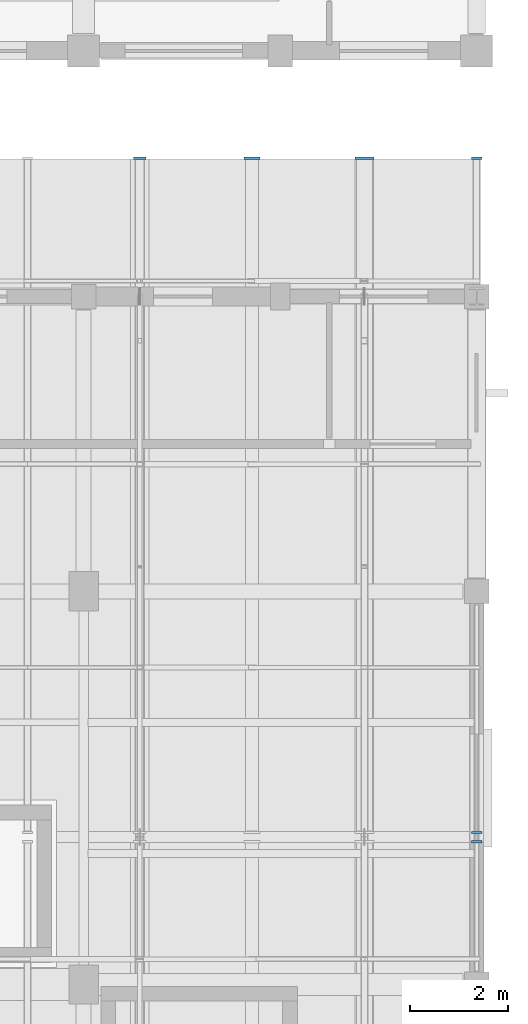
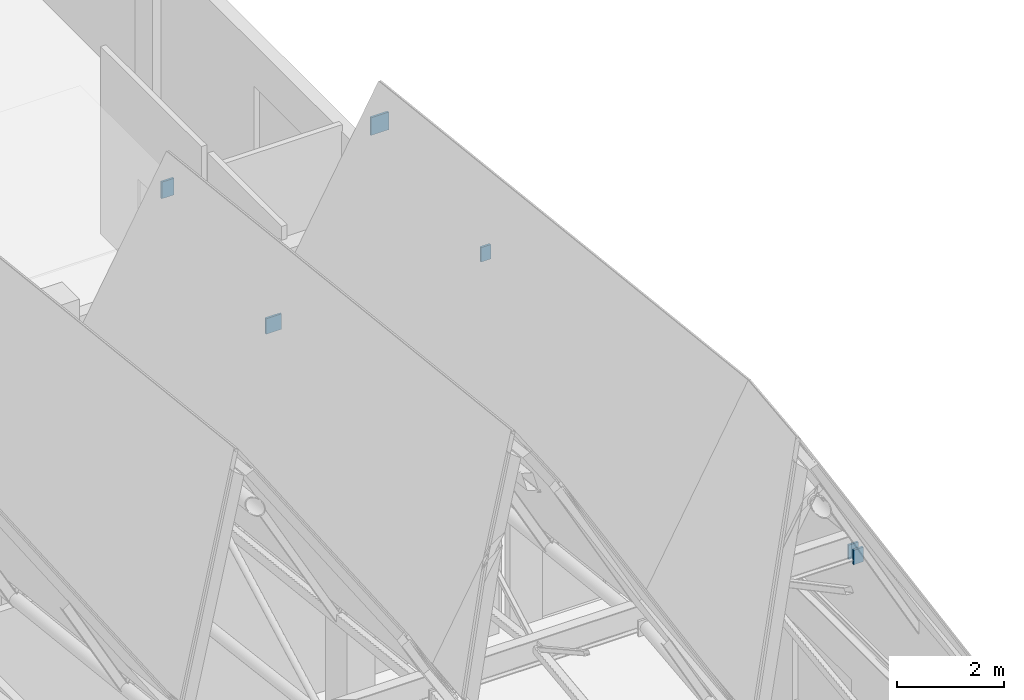
# One storey, part 43 of 48: 6 discrete accessories.
"""IFC4 building model written with IfcOpenShell, lengths in metres."""

from ifc_helpers import new_model, si_unit, direction, frame, origin, origin_2d, place, context, subcontext, project, spatial, rectangle, extrude, material, type_object, element, save


model = new_model("IFC4")

# Units and contexts
model_context = context("Model", 3, precision=1e-05, world=origin(), true_north=direction((0.0, 1.0)))
body_context = subcontext(model_context, "Body", "Model", "MODEL_VIEW")
ifc_project = project(units=[si_unit("LENGTHUNIT", "METRE"), si_unit("AREAUNIT", "SQUARE_METRE"), si_unit("VOLUMEUNIT", "CUBIC_METRE"), si_unit("PLANEANGLEUNIT", "RADIAN"), si_unit("MASSUNIT", "GRAM", prefix="KILO")], contexts=[model_context])

# Site, building, storey
site_placement = place(None, origin())
site = spatial("IfcSite", under=ifc_project, at=site_placement, CompositionType="ELEMENT")
building_placement = place(site_placement, origin())
building = spatial("IfcBuilding", under=site, at=building_placement, Name="Luwemba Playhouse", CompositionType="ELEMENT")
storey_placement = place(building_placement, frame((0.0, 0.0, 13.800048828125)))
storey = spatial("IfcBuildingStorey", under=building, at=storey_placement, Name="L03", CompositionType="ELEMENT", Elevation=13.800048828125)

# Discrete accessories
ifc_material = material(Name="Steel S355", Category="steel")
discrete_accessory_type = type_object("IfcDiscreteAccessoryType", Name="ACC-ENDCAP-S355", PredefinedType="BRACKET", material=ifc_material)
discrete_accessory_1_placement = place(storey_placement, frame((165.142822265625, 92.81494140625, 7.685302734375), z_axis=(0.0, 0.0, 1.0), x_axis=(1.0, 0.0, 0.0)))
element("IfcDiscreteAccessory", 1, at=discrete_accessory_1_placement, inside=storey, type_object=discrete_accessory_type, Name="Welded RHS end cap plate 0304", PredefinedType="BRACKET", context=body_context, shape_type="SweptSolid", body=[
    extrude(rectangle(XDim=0.260009765625, YDim=0.044921875, at=origin_2d()), origin(), (0.0, 0.0, 1.0), 0.3798828125),
])
discrete_accessory_2_placement = place(storey_placement, frame((167.4287109375, 92.81494140625, 3.811279296875), z_axis=(0.0, 0.0, 1.0), x_axis=(1.0, 0.0, 0.0)))
element("IfcDiscreteAccessory", 2, at=discrete_accessory_2_placement, inside=storey, type_object=discrete_accessory_type, Name="Welded RHS end cap plate 0308", PredefinedType="BRACKET", context=body_context, shape_type="SweptSolid", body=[
    extrude(rectangle(XDim=0.3330078125, YDim=0.044921875, at=origin_2d()), origin(), (0.0, 0.0, 1.0), 0.35302734375),
])
discrete_accessory_3_placement = place(storey_placement, frame((169.71435546875, 92.81494140625, 7.54833984375), z_axis=(0.0, 0.0, 1.0), x_axis=(1.0, 0.0, 0.0)))
element("IfcDiscreteAccessory", 3, at=discrete_accessory_3_placement, inside=storey, type_object=discrete_accessory_type, Name="Welded RHS end cap plate 0312", PredefinedType="BRACKET", context=body_context, shape_type="SweptSolid", body=[
    extrude(rectangle(XDim=0.384033203125, YDim=0.044921875, at=origin_2d()), origin(), (0.0, 0.0, 1.0), 0.404052734375),
])
for number, where, z_axis, x_axis, name in (
    (4, (172.0, 78.90478515625, 5.373046875), (0.0, 0.0, 1.0), (1.0, 0.0, 0.0), "Welded RHS end cap plate 0314"),
    (5, (172.0, 79.09521484375, 5.373046875), (0.0, 0.0, 1.0), (1.0, 0.0, 0.0), "Welded RHS end cap plate 0315"),
    (6, (172.0, 92.81494140625, 3.834228515625), (0.0, 0.0, 1.0), (1.0, 0.0, 0.0), "Welded RHS end cap plate 0316"),
):
    element("IfcDiscreteAccessory", number, at=place(storey_placement, frame(where, z_axis=z_axis, x_axis=x_axis)), inside=storey, type_object=discrete_accessory_type, Name=name, PredefinedType="BRACKET", context=body_context, shape_type="SweptSolid", body=[
        extrude(rectangle(XDim=0.2099609375, YDim=0.044921875, at=origin_2d()), origin(), (0.0, 0.0, 1.0), 0.330078125),
    ])

save(model, "model.ifc")
